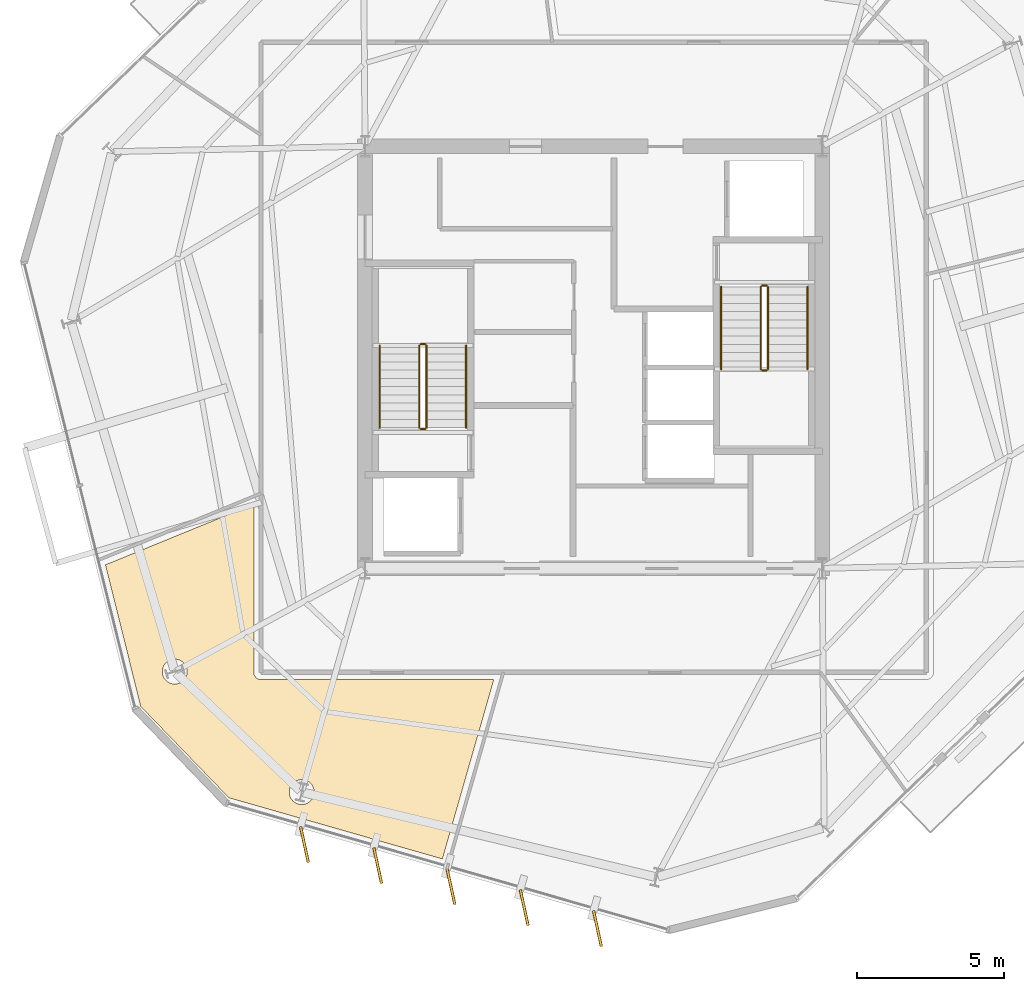
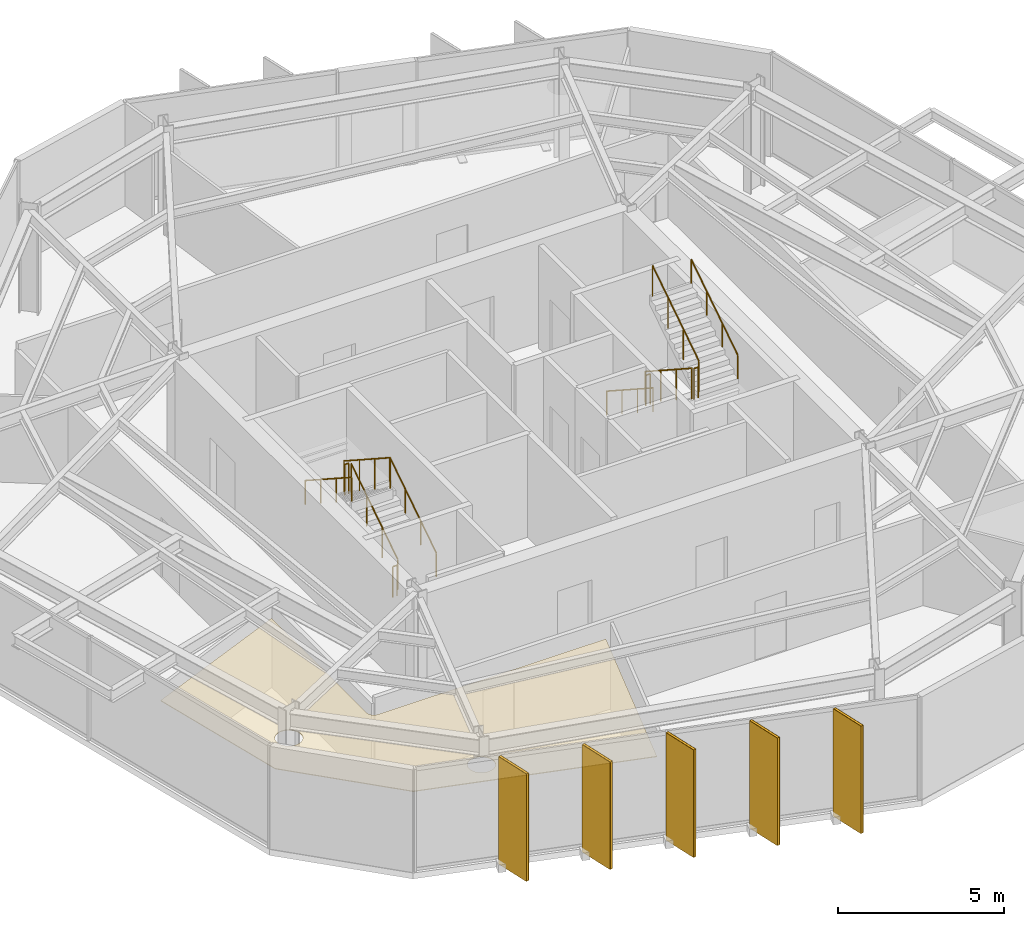
# One storey, part 9 of 10: 12 railings, 6 coverings, 5 shading devices.
"""IFC4 building model written with IfcOpenShell, lengths in metres."""

from ifc_helpers import new_model, si_unit, direction, frame, origin, origin_2d, place, context, subcontext, project, spatial, polyline, rectangle, circle, outline, extrude, material, layer, layer_set, type_object, element, save


model = new_model("IFC4")

# Units and contexts
model_context = context("Model", 3, precision=1e-05, world=origin(), true_north=direction((0.0, 1.0)))
body_context = subcontext(model_context, "Body", "Model", "MODEL_VIEW")
ifc_project = project(units=[si_unit("LENGTHUNIT", "METRE"), si_unit("AREAUNIT", "SQUARE_METRE"), si_unit("VOLUMEUNIT", "CUBIC_METRE"), si_unit("PLANEANGLEUNIT", "RADIAN"), si_unit("MASSUNIT", "GRAM", prefix="KILO")], contexts=[model_context])

# Site, building, storey
site_placement = place(None, origin())
site = spatial("IfcSite", under=ifc_project, at=site_placement, CompositionType="ELEMENT")
building_placement = place(site_placement, origin())
building = spatial("IfcBuilding", under=site, at=building_placement, Name="Kranzbogen Civic Tower", CompositionType="ELEMENT")
storey_placement = place(building_placement, frame((0.0, 0.0, 200.800048828125)))
storey = spatial("IfcBuildingStorey", under=building, at=storey_placement, Name="L48", CompositionType="ELEMENT", Elevation=200.800048828125)

# Coverings
ifc_material_1 = material(Name="Pale Anodised Aluminium", Category="aluminium")
ifc_layer_1 = layer(ifc_material_1, 0.02490234375, Name="Pale Anodised Aluminium")
ifc_layer_set_1 = layer_set([ifc_layer_1], Name="Pale Anodised Aluminium")
covering_type_1 = type_object("IfcCoveringType", Name="Anodised Aluminium Vertical Fin Cladding 25 mm", PredefinedType="CLADDING", material=ifc_layer_set_1)
for number, where, z_axis, x_axis, name in (
    (1, (15.132080078125, 8.3759765625, -0.14013671875), (0.0, 0.0, 1.0), (0.212586995139, -0.977142143957, 0.0), "L48 vertical fin pale-metal cladding F4-1"),
    (2, (17.631103515625, 7.658935546875, -0.14013671875), (0.0, 0.0, 1.0), (0.212586995139, -0.977142143957, 0.0), "L48 vertical fin pale-metal cladding F4-2"),
    (3, (20.1298828125, 6.94189453125, -0.14013671875), (0.0, 0.0, 1.0), (0.212586995139, -0.977142143957, 0.0), "L48 vertical fin pale-metal cladding F4-3"),
    (4, (22.62890625, 6.22607421875, -0.14013671875), (0.0, 0.0, 1.0), (0.212586995139, -0.977142143957, 0.0), "L48 vertical fin pale-metal cladding F4-4"),
    (5, (25.12890625, 5.509033203125, -0.14013671875), (0.0, 0.0, 1.0), (0.212586995139, -0.977142143957, 0.0), "L48 vertical fin pale-metal cladding F4-5"),
):
    element("IfcCovering", number, at=place(storey_placement, frame(where, z_axis=z_axis, x_axis=x_axis)), inside=storey, type_object=covering_type_1, Name=name, PredefinedType="CLADDING", context=body_context, shape_type="SweptSolid", body=[
        extrude(rectangle(XDim=1.25, YDim=0.10009765625, at=origin_2d()), origin(), (0.0, 0.0, 1.0), 3.9599609375),
    ])

# Shading devices
ifc_material_2 = material(Name="Anodised Bronze Aluminium", Category="aluminium")
shading_device_type = type_object("IfcShadingDeviceType", Name="Anodised Bronze Vertical Facade Fin 1250x80", PredefinedType="USERDEFINED", material=ifc_material_2)
for number, where, z_axis, x_axis, name in (
    (6, (15.132080078125, 8.3759765625, -0.14013671875), (0.0, 0.0, 1.0), (0.212586995139, -0.977142143957, 0.0), "L48 vertical exterior shading fin F4-1"),
    (7, (17.631103515625, 7.658935546875, -0.14013671875), (0.0, 0.0, 1.0), (0.212586995139, -0.977142143957, 0.0), "L48 vertical exterior shading fin F4-2"),
    (8, (20.1298828125, 6.94189453125, -0.14013671875), (0.0, 0.0, 1.0), (0.212586995139, -0.977142143957, 0.0), "L48 vertical exterior shading fin F4-3"),
    (9, (22.62890625, 6.22607421875, -0.14013671875), (0.0, 0.0, 1.0), (0.212586995139, -0.977142143957, 0.0), "L48 vertical exterior shading fin F4-4"),
    (10, (25.12890625, 5.509033203125, -0.14013671875), (0.0, 0.0, 1.0), (0.212586995139, -0.977142143957, 0.0), "L48 vertical exterior shading fin F4-5"),
):
    element("IfcShadingDevice", number, at=place(storey_placement, frame(where, z_axis=z_axis, x_axis=x_axis)), inside=storey, type_object=shading_device_type, Name=name, ObjectType="FIN", PredefinedType="USERDEFINED", context=body_context, shape_type="SweptSolid", body=[
        extrude(rectangle(XDim=1.25, YDim=0.080078125, at=origin_2d()), origin(), (0.0, 0.0, 1.0), 3.9599609375),
    ])

# Railings
ifc_material_3 = material(Name="Steel S355", Category="steel")
railing_type_1 = type_object("IfcRailingType", Name="Internal Stair and Void Steel Guardrail 1150", PredefinedType="GUARDRAIL", material=ifc_material_3)
railing_1_placement = place(storey_placement, frame((19.300048828125, 22.60009765625, 0.181884765625)))
element("IfcRailing", 11, at=railing_1_placement, inside=storey, type_object=railing_type_1, Name="L48 ST-T1 stair guard 1", PredefinedType="GUARDRAIL", context=body_context, shape_type="SweptSolid", body=[
    extrude(circle(Radius=0.02392578125, at=origin_2d()), frame((0.0, 0.0, 1.1259765625), z_axis=(0.0, 0.83868413941, 0.544618136222), x_axis=(-1.0, 0.0, 0.0)), (0.0, 0.0, 1.0), 3.33837890625),
    extrude(circle(Radius=0.02099609375, at=origin_2d()), origin(), (0.0, 0.0, 1.0), 1.101806640625),
    extrude(circle(Radius=0.02099609375, at=origin_2d()), frame((0.0, 0.933349609375, 0.60595703125)), (0.0, 0.0, 1.0), 1.101806640625),
    extrude(circle(Radius=0.02099609375, at=origin_2d()), frame((0.0, 1.866455078125, 1.212158203125)), (0.0, 0.0, 1.0), 1.101806640625),
    extrude(circle(Radius=0.02099609375, at=origin_2d()), frame((0.0, 2.7998046875, 1.818115234375)), (0.0, 0.0, 1.0), 1.101806640625),
])
railing_2_placement = place(storey_placement, frame((19.25, 25.449951171875, 2.0)))
element("IfcRailing", 12, at=railing_2_placement, inside=storey, type_object=railing_type_1, Name="L48 ST-T1 stair guard 2", PredefinedType="GUARDRAIL", context=body_context, shape_type="SweptSolid", body=[
    extrude(circle(Radius=0.02392578125, at=origin_2d()), frame((0.0, 0.0, 1.1259765625), z_axis=(-1.0, 0.0, 0.0), x_axis=(0.0, -1.0, 0.0)), (0.0, 0.0, 1.0), 0.14990234375),
    extrude(circle(Radius=0.02099609375, at=origin_2d()), origin(), (0.0, 0.0, 1.0), 1.101806640625),
    extrude(circle(Radius=0.02099609375, at=origin_2d()), frame((-0.14990234375, 0.0, 0.0)), (0.0, 0.0, 1.0), 1.101806640625),
])
railing_3_placement = place(storey_placement, frame((19.050048828125, 25.39990234375, 2.181884765625)))
element("IfcRailing", 13, at=railing_3_placement, inside=storey, type_object=railing_type_1, Name="L48 ST-T1 stair guard 3", PredefinedType="GUARDRAIL", context=body_context, shape_type="SweptSolid", body=[
    extrude(circle(Radius=0.02392578125, at=origin_2d()), frame((0.0, 0.0, 1.1259765625), z_axis=(0.0, -0.83868413941, 0.544618136222), x_axis=(1.0, 0.0, 0.0)), (0.0, 0.0, 1.0), 3.33837890625),
    extrude(circle(Radius=0.02099609375, at=origin_2d()), origin(), (0.0, 0.0, 1.0), 1.101806640625),
    extrude(circle(Radius=0.02099609375, at=origin_2d()), frame((0.0, -0.933349609375, 0.60595703125)), (0.0, 0.0, 1.0), 1.101806640625),
    extrude(circle(Radius=0.02099609375, at=origin_2d()), frame((0.0, -1.866455078125, 1.212158203125)), (0.0, 0.0, 1.0), 1.101806640625),
    extrude(circle(Radius=0.02099609375, at=origin_2d()), frame((0.0, -2.7998046875, 1.818115234375)), (0.0, 0.0, 1.0), 1.101806640625),
])
railing_4_placement = place(storey_placement, frame((19.25, 22.550048828125, 0.0)))
element("IfcRailing", 14, at=railing_4_placement, inside=storey, type_object=railing_type_1, Name="L48 ST-T1 stair guard 4", PredefinedType="GUARDRAIL", context=body_context, shape_type="SweptSolid", body=[
    extrude(circle(Radius=0.02392578125, at=origin_2d()), frame((0.0, 0.0, 1.1259765625), z_axis=(-1.0, 0.0, 0.0), x_axis=(0.0, -1.0, 0.0)), (0.0, 0.0, 1.0), 0.14990234375),
    extrude(circle(Radius=0.02099609375, at=origin_2d()), origin(), (0.0, 0.0, 1.0), 1.101806640625),
    extrude(circle(Radius=0.02099609375, at=origin_2d()), frame((-0.14990234375, 0.0, 0.0)), (0.0, 0.0, 1.0), 1.101806640625),
])
railing_5_placement = place(storey_placement, frame((30.699951171875, 27.39990234375, 0.181884765625)))
element("IfcRailing", 15, at=railing_5_placement, inside=storey, type_object=railing_type_1, Name="L48 ST-T2 stair guard 1", PredefinedType="GUARDRAIL", context=body_context, shape_type="SweptSolid", body=[
    extrude(circle(Radius=0.02392578125, at=origin_2d()), frame((0.0, 0.0, 1.1259765625), z_axis=(0.0, -0.83868413941, 0.544618136222), x_axis=(1.0, 0.0, 0.0)), (0.0, 0.0, 1.0), 3.33837890625),
    extrude(circle(Radius=0.02099609375, at=origin_2d()), origin(), (0.0, 0.0, 1.0), 1.101806640625),
    extrude(circle(Radius=0.02099609375, at=origin_2d()), frame((0.0, -0.933349609375, 0.60595703125)), (0.0, 0.0, 1.0), 1.101806640625),
    extrude(circle(Radius=0.02099609375, at=origin_2d()), frame((0.0, -1.866455078125, 1.212158203125)), (0.0, 0.0, 1.0), 1.101806640625),
    extrude(circle(Radius=0.02099609375, at=origin_2d()), frame((0.0, -2.7998046875, 1.818115234375)), (0.0, 0.0, 1.0), 1.101806640625),
])
railing_6_placement = place(storey_placement, frame((30.75, 24.550048828125, 2.0)))
element("IfcRailing", 16, at=railing_6_placement, inside=storey, type_object=railing_type_1, Name="L48 ST-T2 stair guard 2", PredefinedType="GUARDRAIL", context=body_context, shape_type="SweptSolid", body=[
    extrude(circle(Radius=0.02392578125, at=origin_2d()), frame((0.0, 0.0, 1.1259765625), z_axis=(1.0, 0.0, 0.0), x_axis=(0.0, 1.0, 0.0)), (0.0, 0.0, 1.0), 0.14990234375),
    extrude(circle(Radius=0.02099609375, at=origin_2d()), origin(), (0.0, 0.0, 1.0), 1.101806640625),
    extrude(circle(Radius=0.02099609375, at=origin_2d()), frame((0.14990234375, 0.0, 0.0)), (0.0, 0.0, 1.0), 1.101806640625),
])
railing_7_placement = place(storey_placement, frame((30.949951171875, 24.60009765625, 2.181884765625)))
element("IfcRailing", 17, at=railing_7_placement, inside=storey, type_object=railing_type_1, Name="L48 ST-T2 stair guard 3", PredefinedType="GUARDRAIL", context=body_context, shape_type="SweptSolid", body=[
    extrude(circle(Radius=0.02392578125, at=origin_2d()), frame((0.0, 0.0, 1.1259765625), z_axis=(0.0, 0.83868413941, 0.544618136222), x_axis=(-1.0, 0.0, 0.0)), (0.0, 0.0, 1.0), 3.33837890625),
    extrude(circle(Radius=0.02099609375, at=origin_2d()), origin(), (0.0, 0.0, 1.0), 1.101806640625),
    extrude(circle(Radius=0.02099609375, at=origin_2d()), frame((0.0, 0.933349609375, 0.60595703125)), (0.0, 0.0, 1.0), 1.101806640625),
    extrude(circle(Radius=0.02099609375, at=origin_2d()), frame((0.0, 1.866455078125, 1.212158203125)), (0.0, 0.0, 1.0), 1.101806640625),
    extrude(circle(Radius=0.02099609375, at=origin_2d()), frame((0.0, 2.7998046875, 1.818115234375)), (0.0, 0.0, 1.0), 1.101806640625),
])
railing_8_placement = place(storey_placement, frame((30.75, 27.449951171875, 0.0)))
element("IfcRailing", 18, at=railing_8_placement, inside=storey, type_object=railing_type_1, Name="L48 ST-T2 stair guard 4", PredefinedType="GUARDRAIL", context=body_context, shape_type="SweptSolid", body=[
    extrude(circle(Radius=0.02392578125, at=origin_2d()), frame((0.0, 0.0, 1.1259765625), z_axis=(1.0, 0.0, 0.0), x_axis=(0.0, 1.0, 0.0)), (0.0, 0.0, 1.0), 0.14990234375),
    extrude(circle(Radius=0.02099609375, at=origin_2d()), origin(), (0.0, 0.0, 1.0), 1.101806640625),
    extrude(circle(Radius=0.02099609375, at=origin_2d()), frame((0.14990234375, 0.0, 0.0)), (0.0, 0.0, 1.0), 1.101806640625),
])

# Covering
ifc_material_4 = material(Name="Perforated Acoustic Gypsum Ceiling")
ifc_layer_2 = layer(ifc_material_4, 0.02490234375, Name="Perforated Acoustic Gypsum Ceiling")
ifc_layer_set_2 = layer_set([ifc_layer_2], Name="Perforated Acoustic Gypsum Ceiling")
covering_type_2 = type_object("IfcCoveringType", Name="Perforated Acoustic Mineral Ceiling Tile 25 mm", PredefinedType="CEILING", material=ifc_layer_set_2)
covering_placement = place(storey_placement, frame((0.0, 0.0, 2.75)))
element("IfcCovering", 19, at=covering_placement, inside=storey, type_object=covering_type_2, Name="L48 Urban Design Workshop acoustic ceiling", PredefinedType="CEILING", context=body_context, shape_type="SweptSolid", body=[
    extrude(outline(polyline([(9.548095703125, 13.0849609375), (8.343017578125, 17.91796875), (13.405029296875, 19.989013671875), (13.405029296875, 14.25), (13.405029296875, 14.240966796875), (13.406005859375, 14.235107421875), (13.406982421875, 14.217041015625), (13.407958984375, 14.2109375), (13.412109375, 14.194091796875), (13.4130859375, 14.18701171875), (13.41796875, 14.169921875), (13.419921875, 14.1640625), (13.427001953125, 14.14794921875), (13.429931640625, 14.14208984375), (13.43798828125, 14.126953125), (13.44189453125, 14.12109375), (13.450927734375, 14.10693359375), (13.455078125, 14.10205078125), (13.466064453125, 14.087890625), (13.470947265625, 14.0830078125), (13.48291015625, 14.071044921875), (13.488037109375, 14.06591796875), (13.501953125, 14.054931640625), (13.507080078125, 14.051025390625), (13.52099609375, 14.0419921875), (13.527099609375, 14.0380859375), (13.5419921875, 14.030029296875), (13.548095703125, 14.027099609375), (13.56396484375, 14.02001953125), (13.570068359375, 14.01806640625), (13.5869140625, 14.012939453125), (13.593994140625, 14.011962890625), (13.611083984375, 14.008056640625), (13.616943359375, 14.007080078125), (13.635009765625, 14.006103515625), (13.64111328125, 14.0048828125), (13.64990234375, 14.0048828125), (21.592041015625, 14.0048828125), (19.837890625, 7.885009765625), (12.552978515625, 9.972900390625), (9.548095703125, 13.0849609375)]), holes=[polyline([(15.431884765625, 10.001953125), (15.4140625, 9.964111328125), (15.39306640625, 9.928955078125), (15.367919921875, 9.89501953125), (15.340087890625, 9.864013671875), (15.30908203125, 9.8359375), (15.27490234375, 9.81103515625), (15.239990234375, 9.7900390625), (15.201904296875, 9.77197265625), (15.1630859375, 9.758056640625), (15.1220703125, 9.748046875), (15.0810546875, 9.741943359375), (15.0390625, 9.739990234375), (14.9970703125, 9.741943359375), (14.9560546875, 9.748046875), (14.9150390625, 9.758056640625), (14.8759765625, 9.77197265625), (14.837890625, 9.7900390625), (14.802978515625, 9.81103515625), (14.76904296875, 9.8359375), (14.738037109375, 9.864013671875), (14.7099609375, 9.89501953125), (14.68505859375, 9.928955078125), (14.6640625, 9.964111328125), (14.64599609375, 10.001953125), (14.632080078125, 10.041015625), (14.6220703125, 10.08203125), (14.615966796875, 10.123046875), (14.614013671875, 10.1650390625), (14.615966796875, 10.20703125), (14.6220703125, 10.248046875), (14.632080078125, 10.2890625), (14.64599609375, 10.327880859375), (14.6640625, 10.365966796875), (14.68505859375, 10.40087890625), (14.7099609375, 10.43505859375), (14.738037109375, 10.466064453125), (14.76904296875, 10.493896484375), (14.802978515625, 10.51904296875), (14.837890625, 10.5400390625), (14.8759765625, 10.55810546875), (14.9150390625, 10.572021484375), (14.9560546875, 10.58203125), (14.9970703125, 10.587890625), (15.0390625, 10.590087890625), (15.0810546875, 10.587890625), (15.1220703125, 10.58203125), (15.1630859375, 10.572021484375), (15.201904296875, 10.55810546875), (15.239990234375, 10.5400390625), (15.27490234375, 10.51904296875), (15.30908203125, 10.493896484375), (15.340087890625, 10.466064453125), (15.367919921875, 10.43505859375), (15.39306640625, 10.40087890625), (15.4140625, 10.365966796875), (15.431884765625, 10.327880859375), (15.446044921875, 10.2890625), (15.4560546875, 10.248046875), (15.4619140625, 10.20703125), (15.464111328125, 10.1650390625), (15.4619140625, 10.123046875), (15.4560546875, 10.08203125), (15.446044921875, 10.041015625), (15.431884765625, 10.001953125)]), polyline([(11.10009765625, 14.113037109375), (11.08203125, 14.074951171875), (11.06103515625, 14.0400390625), (11.035888671875, 14.006103515625), (11.008056640625, 13.97509765625), (10.97705078125, 13.947021484375), (10.943115234375, 13.922119140625), (10.907958984375, 13.90087890625), (10.8701171875, 13.883056640625), (10.8310546875, 13.868896484375), (10.7900390625, 13.85888671875), (10.7490234375, 13.85302734375), (10.70703125, 13.85107421875), (10.6650390625, 13.85302734375), (10.6240234375, 13.85888671875), (10.5830078125, 13.868896484375), (10.5439453125, 13.883056640625), (10.506103515625, 13.90087890625), (10.470947265625, 13.922119140625), (10.43701171875, 13.947021484375), (10.406005859375, 13.97509765625), (10.3779296875, 14.006103515625), (10.35302734375, 14.0400390625), (10.33203125, 14.074951171875), (10.31396484375, 14.113037109375), (10.300048828125, 14.152099609375), (10.2900390625, 14.193115234375), (10.283935546875, 14.23388671875), (10.281982421875, 14.27587890625), (10.283935546875, 14.318115234375), (10.2900390625, 14.35888671875), (10.300048828125, 14.39990234375), (10.31396484375, 14.43896484375), (10.33203125, 14.47705078125), (10.35302734375, 14.511962890625), (10.3779296875, 14.5458984375), (10.406005859375, 14.576904296875), (10.43701171875, 14.60498046875), (10.470947265625, 14.6298828125), (10.506103515625, 14.65087890625), (10.5439453125, 14.6689453125), (10.5830078125, 14.68310546875), (10.6240234375, 14.693115234375), (10.6650390625, 14.698974609375), (10.70703125, 14.700927734375), (10.7490234375, 14.698974609375), (10.7900390625, 14.693115234375), (10.8310546875, 14.68310546875), (10.8701171875, 14.6689453125), (10.907958984375, 14.65087890625), (10.943115234375, 14.6298828125), (10.97705078125, 14.60498046875), (11.008056640625, 14.576904296875), (11.035888671875, 14.5458984375), (11.06103515625, 14.511962890625), (11.08203125, 14.47705078125), (11.10009765625, 14.43896484375), (11.114013671875, 14.39990234375), (11.1240234375, 14.35888671875), (11.1298828125, 14.318115234375), (11.132080078125, 14.27587890625), (11.1298828125, 14.23388671875), (11.1240234375, 14.193115234375), (11.114013671875, 14.152099609375), (11.10009765625, 14.113037109375)])]), origin(), (0.0, 0.0, 1.0), 0.02490234375),
])

# Railings
railing_type_2 = type_object("IfcRailingType", Name="Tubular Stainless Stair Wall Handrail 900", PredefinedType="HANDRAIL", material=ifc_material_1)
railing_9_placement = place(storey_placement, frame((20.64990234375, 22.60009765625, 0.181884765625)))
element("IfcRailing", 20, at=railing_9_placement, inside=storey, type_object=railing_type_2, Name="L48 ST-T1 stair handrail 1", PredefinedType="HANDRAIL", context=body_context, shape_type="SweptSolid", body=[
    extrude(circle(Radius=0.02392578125, at=origin_2d()), frame((0.0, 0.0, 0.8759765625), z_axis=(0.0, 0.83868413941, 0.544618136222), x_axis=(-1.0, 0.0, 0.0)), (0.0, 0.0, 1.0), 3.33837890625),
    extrude(circle(Radius=0.02099609375, at=origin_2d()), origin(), (0.0, 0.0, 1.0), 0.851806640625),
    extrude(circle(Radius=0.02099609375, at=origin_2d()), frame((0.0, 0.933349609375, 0.60595703125)), (0.0, 0.0, 1.0), 0.851806640625),
    extrude(circle(Radius=0.02099609375, at=origin_2d()), frame((0.0, 1.866455078125, 1.212158203125)), (0.0, 0.0, 1.0), 0.851806640625),
    extrude(circle(Radius=0.02099609375, at=origin_2d()), frame((0.0, 2.7998046875, 1.818115234375)), (0.0, 0.0, 1.0), 0.851806640625),
])
for number, where, name in (
    (21, (17.699951171875, 25.39990234375, 2.181884765625), "L48 ST-T1 stair handrail 2"),
    (22, (29.35009765625, 27.39990234375, 0.181884765625), "L48 ST-T2 stair handrail 1"),
):
    element("IfcRailing", number, at=place(storey_placement, frame(where)), inside=storey, type_object=railing_type_2, Name=name, PredefinedType="HANDRAIL", context=body_context, shape_type="SweptSolid", body=[
        extrude(circle(Radius=0.02392578125, at=origin_2d()), frame((0.0, 0.0, 0.8759765625), z_axis=(0.0, -0.83868413941, 0.544618136222), x_axis=(1.0, 0.0, 0.0)), (0.0, 0.0, 1.0), 3.33837890625),
        extrude(circle(Radius=0.02099609375, at=origin_2d()), origin(), (0.0, 0.0, 1.0), 0.851806640625),
        extrude(circle(Radius=0.02099609375, at=origin_2d()), frame((0.0, -0.933349609375, 0.60595703125)), (0.0, 0.0, 1.0), 0.851806640625),
        extrude(circle(Radius=0.02099609375, at=origin_2d()), frame((0.0, -1.866455078125, 1.212158203125)), (0.0, 0.0, 1.0), 0.851806640625),
        extrude(circle(Radius=0.02099609375, at=origin_2d()), frame((0.0, -2.7998046875, 1.818115234375)), (0.0, 0.0, 1.0), 0.851806640625),
    ])
railing_10_placement = place(storey_placement, frame((32.300048828125, 24.60009765625, 2.181884765625)))
element("IfcRailing", 23, at=railing_10_placement, inside=storey, type_object=railing_type_2, Name="L48 ST-T2 stair handrail 2", PredefinedType="HANDRAIL", context=body_context, shape_type="SweptSolid", body=[
    extrude(circle(Radius=0.02392578125, at=origin_2d()), frame((0.0, 0.0, 0.8759765625), z_axis=(0.0, 0.83868413941, 0.544618136222), x_axis=(-1.0, 0.0, 0.0)), (0.0, 0.0, 1.0), 3.33837890625),
    extrude(circle(Radius=0.02099609375, at=origin_2d()), origin(), (0.0, 0.0, 1.0), 0.851806640625),
    extrude(circle(Radius=0.02099609375, at=origin_2d()), frame((0.0, 0.933349609375, 0.60595703125)), (0.0, 0.0, 1.0), 0.851806640625),
    extrude(circle(Radius=0.02099609375, at=origin_2d()), frame((0.0, 1.866455078125, 1.212158203125)), (0.0, 0.0, 1.0), 0.851806640625),
    extrude(circle(Radius=0.02099609375, at=origin_2d()), frame((0.0, 2.7998046875, 1.818115234375)), (0.0, 0.0, 1.0), 0.851806640625),
])

save(model, "model.ifc")
